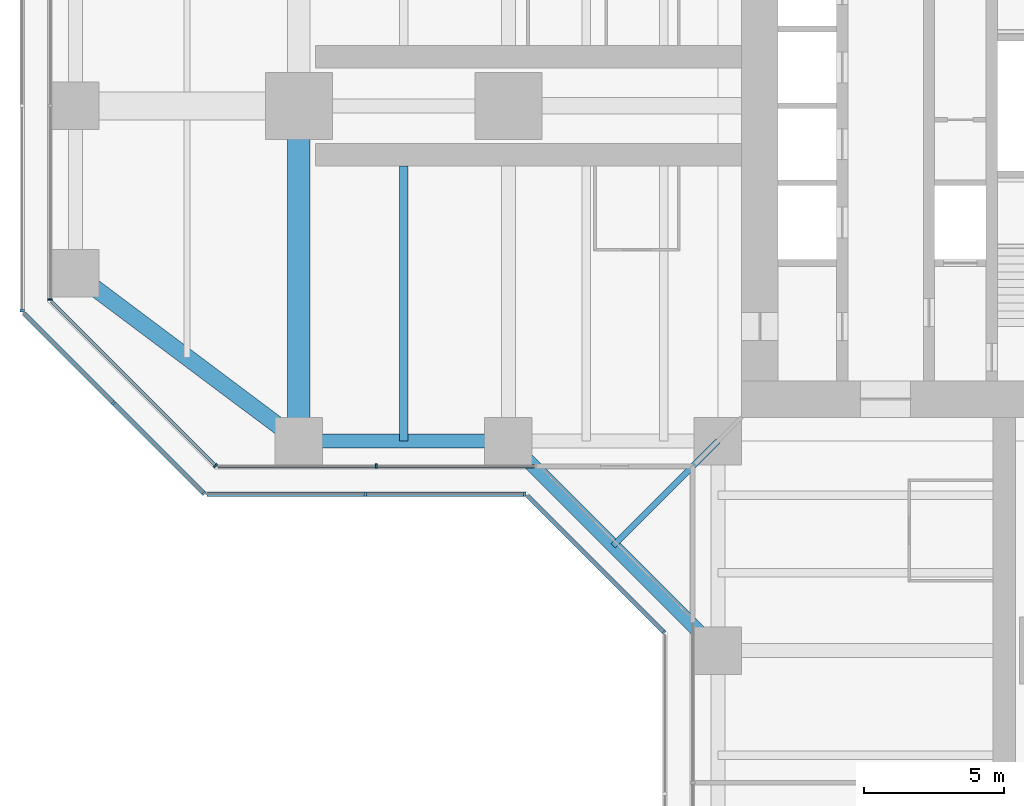
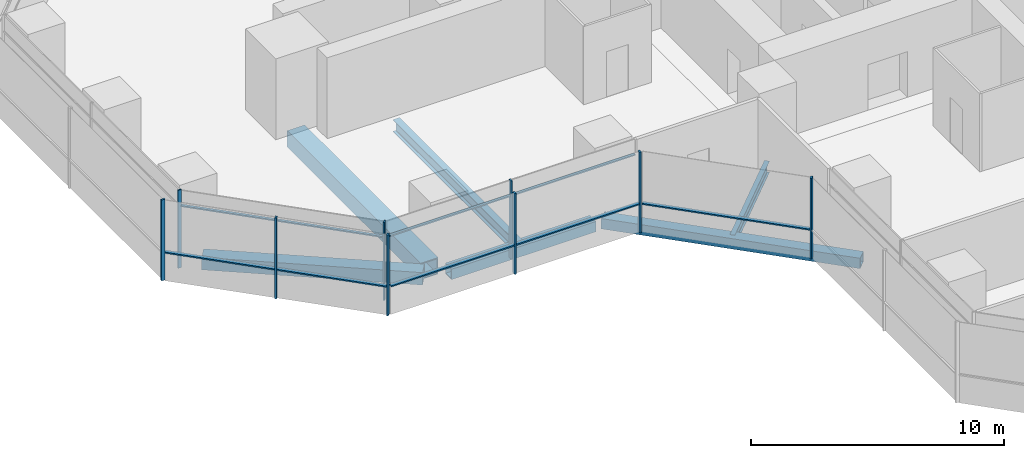
# One storey, part 3 of 22: 17 members, 6 beams, 7 elements without a shape of their own.
"""IFC4 building model written with IfcOpenShell, lengths in metres."""

import ifcopenshell
import ifcopenshell.guid

model = None  # the IFC model being written
_history = None  # IfcOwnerHistory: only IFC2X3 demands one
_inside = {}  # id of a spatial element -> (the spatial element, [elements in it])
_under = {}  # id of a project, library or spatial element -> (it, [spatial elements below it])
_declared = {}  # id of a project -> (the project, [libraries it declares])
_typed = {}  # id of a type object -> (the type object, [elements of that type])
_made_of = {}  # id of a material, layer set ... -> (it, [elements and type objects made of it])


def new_model(schema):
    """Start an empty IFC model of exactly this schema.

    Asked for "IFC4X3", IfcOpenShell would pick the latest addendum, in which some entities
    have other attributes; the version numbers below select the first issue.
    IFC2X3 requires an IfcOwnerHistory on every rooted entity: one is made here for all.
    """
    global model, _history
    if schema == "IFC4X3":
        model = ifcopenshell.file(schema_version=(4, 3, 0, 0))
    else:
        model = ifcopenshell.file(schema=schema)
    _inside.clear()
    _under.clear()
    _declared.clear()
    _typed.clear()
    _made_of.clear()
    _history = None
    if model.schema == "IFC2X3":
        org = make("IfcOrganization", Name="unknown")
        user = make(
            "IfcPersonAndOrganization",
            ThePerson=make("IfcPerson", FamilyName="unknown"),
            TheOrganization=org,
        )
        app = make(
            "IfcApplication",
            ApplicationDeveloper=org,
            Version="unknown",
            ApplicationFullName="unknown",
            ApplicationIdentifier="unknown",
        )
        _history = make(
            "IfcOwnerHistory",
            OwningUser=user,
            OwningApplication=app,
            ChangeAction="ADDED",
            CreationDate=0,
        )
    return model


def make(cls, **values):
    """One entity of the class cls with the attributes given. An attribute that is None is left unset."""
    return model.create_entity(
        cls, **{name: value for name, value in values.items() if value is not None}
    )


def rooted(cls, **values):
    """An entity with a GlobalId (a new one), such as an element, a storey or a relation."""
    return make(cls, GlobalId=ifcopenshell.guid.new(), OwnerHistory=_history, **values)


def si_unit(unit_type, name, prefix=None):
    """IfcSIUnit, for example si_unit("LENGTHUNIT", "METRE", prefix="MILLI")."""
    return make("IfcSIUnit", UnitType=unit_type, Prefix=prefix, Name=name)


def assignment(units):
    """IfcUnitAssignment: the units of a project."""
    return None if units is None else make("IfcUnitAssignment", Units=units)


def point(xyz):
    """IfcCartesianPoint."""
    return None if xyz is None else make("IfcCartesianPoint", Coordinates=xyz)


def direction(xyz):
    """IfcDirection."""
    return None if xyz is None else make("IfcDirection", DirectionRatios=xyz)


def frame(location, z_axis=None, x_axis=None):
    """IfcAxis2Placement3D, a coordinate frame: its origin and axes. An axis left out is left unset."""
    return make(
        "IfcAxis2Placement3D",
        Location=point(location),
        Axis=direction(z_axis),
        RefDirection=direction(x_axis),
    )


def frame_2d(location, x_axis=None):
    """IfcAxis2Placement2D, a coordinate frame in the plane: its origin and x axis."""
    return make(
        "IfcAxis2Placement2D", Location=point(location), RefDirection=direction(x_axis)
    )


def origin():
    """The frame at (0, 0, 0) with its axes left unset."""
    return frame((0.0, 0.0, 0.0))


def origin_2d():
    """The frame at (0, 0) in the plane with its x axis left unset."""
    return frame_2d((0.0, 0.0))


def place(relative_to, where):
    """IfcLocalPlacement: puts the frame where relative to a parent placement (None: the world)."""
    return make(
        "IfcLocalPlacement", PlacementRelTo=relative_to, RelativePlacement=where
    )


def context(
    kind, dimensions, precision=None, world=None, true_north=None, identifier=None
):
    """IfcGeometricRepresentationContext, for example the 3D "Model" context."""
    return make(
        "IfcGeometricRepresentationContext",
        ContextIdentifier=identifier,
        ContextType=kind,
        CoordinateSpaceDimension=dimensions,
        Precision=precision,
        WorldCoordinateSystem=world,
        TrueNorth=true_north,
    )


def subcontext(parent, identifier, kind, view, scale=None):
    """IfcGeometricRepresentationSubContext, for example "Body" below "Model"."""
    return make(
        "IfcGeometricRepresentationSubContext",
        ContextIdentifier=identifier,
        ContextType=kind,
        ParentContext=parent,
        TargetScale=scale,
        TargetView=view,
    )


def project(units=None, contexts=None):
    """IfcProject with its units and contexts."""
    return rooted(
        "IfcProject",
        Name="project",
        RepresentationContexts=contexts,
        UnitsInContext=assignment(units),
    )


def spatial(cls, under=None, at=None, **own):
    """A site, building, storey or space (cls), placed at a placement, below another one or the project."""
    s = rooted(cls, ObjectPlacement=at, **own)
    if under is not None:
        _under.setdefault(under.id(), (under, []))[1].append(s)
    return s


def profile(cls, at=None, kind="AREA", **sizes):
    """A parametric profile (cls). Its sizes go by their IFC names, for example OverallWidth=200.0."""
    return make(cls, ProfileType=kind, Position=at, **sizes)


def rectangle(**sizes):
    """IfcRectangleProfileDef."""
    return profile("IfcRectangleProfileDef", **sizes)


def hollow_rectangle(**sizes):
    """IfcRectangleHollowProfileDef."""
    return profile("IfcRectangleHollowProfileDef", **sizes)


def i_section(**sizes):
    """IfcIShapeProfileDef."""
    return profile("IfcIShapeProfileDef", **sizes)


def extrude(swept, where, along, depth):
    """IfcExtrudedAreaSolid: the profile swept, set in the frame where, extruded along a direction by depth."""
    return make(
        "IfcExtrudedAreaSolid",
        SweptArea=swept,
        Position=where,
        ExtrudedDirection=direction(along),
        Depth=depth,
    )


def shape(context_of_items, identifier, shape_type, items):
    """IfcShapeRepresentation: the items that make up one representation, for example the "Body"."""
    return make(
        "IfcShapeRepresentation",
        ContextOfItems=context_of_items,
        RepresentationIdentifier=identifier,
        RepresentationType=shape_type,
        Items=items,
    )


def material(Name=None, Category=None):
    """IfcMaterial."""
    return make("IfcMaterial", Name=Name, Category=Category)


def material_profile(
    of_material, cross_section, Name=None, Category=None, Priority=None
):
    """IfcMaterialProfile: a cross section and its material."""
    return make(
        "IfcMaterialProfile",
        Name=Name,
        Material=of_material,
        Profile=cross_section,
        Priority=Priority,
        Category=Category,
    )


def profile_set(profiles, Name=None, composite=None):
    """IfcMaterialProfileSet."""
    return make(
        "IfcMaterialProfileSet",
        Name=Name,
        MaterialProfiles=profiles,
        CompositeProfile=composite,
    )


def made_of(thing, what):
    """Note that an element or type object is made of a material, layer set ...; save() writes the relation."""
    if what is not None:
        _made_of.setdefault(what.id(), (what, []))[1].append(thing)
    return thing


def type_object(cls, material=None, **own):
    """A type object (cls), such as IfcWallType, which elements share."""
    return made_of(rooted(cls, **own), material)


def element(
    cls,
    number,
    at=None,
    inside=None,
    cuts=None,
    type_object=None,
    material=None,
    context=None,
    identifier="Body",
    shape_type=None,
    held_by="IfcProductDefinitionShape",
    body=None,
    shapes=None,
    **own,
):
    """One element of the class cls, such as IfcWall. Its Tag is "e" and its number.

    at: its placement. inside: the storey or other place that contains it. cuts: it is an
    opening in that element (IfcRelVoidsElement). A single representation is given by context,
    identifier, shape_type and body (its items); several are given by shapes. held_by: the class
    of the entity that holds the representations. save() writes the other relations.
    """
    e = rooted(cls, Tag="e%d" % number, ObjectPlacement=at, **own)
    if body is not None:
        shapes = [shape(context, identifier, shape_type, body)]
    if shapes is not None:
        e.Representation = make(held_by, Representations=shapes)
    if inside is not None:
        _inside.setdefault(inside.id(), (inside, []))[1].append(e)
    if cuts is not None:
        rooted(
            "IfcRelVoidsElement", RelatingBuildingElement=cuts, RelatedOpeningElement=e
        )
    if type_object is not None:
        _typed.setdefault(type_object.id(), (type_object, []))[1].append(e)
    return made_of(e, material)


def aggregate(whole, parts):
    """IfcRelAggregates: a whole, such as a stair, and the parts it consists of."""
    return rooted("IfcRelAggregates", RelatingObject=whole, RelatedObjects=parts)


def save(model, path):
    """Write the relations noted so far, then the file.

    IfcRelAggregates (storeys below a building ...), IfcRelContainedInSpatialStructure (elements
    in a storey), IfcRelDefinesByType, IfcRelAssociatesMaterial and IfcRelDeclares: one each for
    every whole, place, type object, material and project.
    """
    for whole, parts in _under.values():
        aggregate(whole, parts)
    for where, things in _inside.values():
        rooted(
            "IfcRelContainedInSpatialStructure",
            RelatedElements=things,
            RelatingStructure=where,
        )
    for kind, things in _typed.values():
        rooted("IfcRelDefinesByType", RelatedObjects=things, RelatingType=kind)
    for what, things in _made_of.values():
        rooted("IfcRelAssociatesMaterial", RelatedObjects=things, RelatingMaterial=what)
    for by, libraries in _declared.values():
        rooted("IfcRelDeclares", RelatingContext=by, RelatedDefinitions=libraries)
    model.write(path)


model = new_model("IFC4")

# Units and contexts
model_context = context("Model", 3, precision=1e-05, world=origin(), true_north=direction((0.0, 1.0)))
body_context = subcontext(model_context, "Body", "Model", "MODEL_VIEW")
ifc_project = project(units=[si_unit("LENGTHUNIT", "METRE"), si_unit("AREAUNIT", "SQUARE_METRE"), si_unit("VOLUMEUNIT", "CUBIC_METRE"), si_unit("PLANEANGLEUNIT", "RADIAN"), si_unit("MASSUNIT", "GRAM", prefix="KILO")], contexts=[model_context])

# Site, building, storey
site_placement = place(None, origin())
site = spatial("IfcSite", under=ifc_project, at=site_placement, CompositionType="ELEMENT")
building_placement = place(site_placement, origin())
building = spatial("IfcBuilding", under=site, at=building_placement, Name="Mizan Broadcast Tower", CompositionType="ELEMENT")
storey_placement = place(building_placement, frame((0.0, 0.0, 98.10009765625)))
storey = spatial("IfcBuildingStorey", under=building, at=storey_placement, Name="L21", CompositionType="ELEMENT", Elevation=98.10009765625)

# Beams
ifc_material_1 = material(Name="Steel S355", Category="steel")
ifc_material_profile_1 = material_profile(ifc_material_1, hollow_rectangle(XDim=0.5, YDim=0.5, WallThickness=0.030029296875, at=origin_2d()), Name="BOX 500x500x30")
ifc_profile_set_1 = profile_set([ifc_material_profile_1], Name="Steel S355")
beam_type_1 = type_object("IfcBeamType", Name="EDGE BEAM BOX 500x500x30", PredefinedType="SPANDREL", material=ifc_profile_set_1)
beam_1_placement = place(storey_placement, frame((-19.949951171875, -12.0, -0.380126953125), z_axis=(-1.0, 0.0, 0.0), x_axis=(0.0, -1.0, 0.0)))
element("IfcBeam", 1, at=beam_1_placement, inside=storey, type_object=beam_type_1, Name="Edge beam BOX 500x500x30 L21 west arm", PredefinedType="SPANDREL", context=body_context, shape_type="SweptSolid", body=[
    extrude(hollow_rectangle(XDim=0.5, YDim=0.5, WallThickness=0.030029296875, at=origin_2d()), origin(), (0.0, 0.0, 1.0), 6.60009765625),
])
beam_2_placement = place(storey_placement, frame((-19.5, -12.0, -0.380126953125), z_axis=(0.707106781187, -0.707106781187, 0.0), x_axis=(0.707106781187, 0.707106781187, 0.0)))
element("IfcBeam", 2, at=beam_2_placement, inside=storey, type_object=beam_type_1, Name="Winter garden edge beam L21 W", PredefinedType="SPANDREL", context=body_context, shape_type="SweptSolid", body=[
    extrude(hollow_rectangle(XDim=0.5, YDim=0.5, WallThickness=0.030029296875, at=origin_2d()), origin(), (0.0, 0.0, 1.0), 10.606689453125),
])
ifc_material_2 = material(Name="Steel S355", Category="steel")
ifc_material_profile_2 = material_profile(ifc_material_2, hollow_rectangle(XDim=0.60009765625, YDim=0.60009765625, WallThickness=0.030029296875, at=origin_2d()), Name="BOX 600x600x30")
ifc_profile_set_2 = profile_set([ifc_material_profile_2], Name="Steel S355")
beam_type_2 = type_object("IfcBeamType", Name="EDGE BEAM BOX 600x600x30", PredefinedType="SPANDREL", material=ifc_profile_set_2)
beam_3_placement = place(storey_placement, frame((-27.47998046875, -11.639892578125, -0.43017578125), z_axis=(-0.800013316712, 0.599982243973, 0.0), x_axis=(-0.599982243973, -0.800013316712, 0.0)))
element("IfcBeam", 3, at=beam_3_placement, inside=storey, type_object=beam_type_2, Name="Edge beam BOX 600x600x30 L21 west arm", PredefinedType="SPANDREL", context=body_context, shape_type="SweptSolid", body=[
    extrude(hollow_rectangle(XDim=0.60009765625, YDim=0.60009765625, WallThickness=0.030029296875, at=origin_2d()), origin(), (0.0, 0.0, 1.0), 8.7998046875),
])
ifc_material_3 = material(Name="Steel S460", Category="steel")
ifc_material_profile_3 = material_profile(ifc_material_3, hollow_rectangle(XDim=0.800048828125, YDim=0.800048828125, WallThickness=0.050048828125, at=origin_2d()), Name="BOX 800x800x50")
ifc_profile_set_3 = profile_set([ifc_material_profile_3], Name="Steel S460")
beam_type_3 = type_object("IfcBeamType", Name="GIRDER BOX 800x800x50", PredefinedType="BEAM", material=ifc_profile_set_3)
beam_4_placement = place(storey_placement, frame((-27.0, -11.280029296875, -0.530029296875), z_axis=(0.0, 1.0, 0.0), x_axis=(-1.0, 0.0, 0.0)))
element("IfcBeam", 4, at=beam_4_placement, inside=storey, type_object=beam_type_3, Name="Girder BOX 800x800x50 L21 west arm", PredefinedType="BEAM", context=body_context, shape_type="SweptSolid", body=[
    extrude(hollow_rectangle(XDim=0.800048828125, YDim=0.800048828125, WallThickness=0.050048828125, at=origin_2d()), origin(), (0.0, 0.0, 1.0), 10.56005859375),
])

# Curtain wall, member
ifc_material_4 = material(Name="Aluminium framed glazing", Category="aluminium")
curtain_wall_type_1 = type_object("IfcCurtainWallType", Name="INNER SKIN LOW ZONE", PredefinedType="USERDEFINED", material=ifc_material_4)
curtain_wall_1_placement = place(storey_placement, origin())
curtain_wall_1 = element("IfcCurtainWall", 5, at=curtain_wall_1_placement, inside=storey, type_object=curtain_wall_type_1, Name="Inner skin low zone L21 W end", ObjectType="INNER SKIN LOW ZONE", PredefinedType="USERDEFINED")
ifc_material_5 = material(Name="Aluminium, pale anodised", Category="aluminium")
ifc_material_profile_4 = material_profile(ifc_material_5, rectangle(XDim=0.159912109375, YDim=0.06005859375, at=origin_2d()), Name="MULLION 160x60")
ifc_profile_set_4 = profile_set([ifc_material_profile_4], Name="Aluminium, pale anodised")
member_type_1 = type_object("IfcMemberType", Name="INNER SKIN MULLION 60x160", PredefinedType="MULLION", material=ifc_profile_set_4)
member_1_placement = place(storey_placement, frame((-35.89990234375, -6.928466796875, 0.0), z_axis=(0.0, 0.0, 1.0), x_axis=(1.0, 0.0, 0.0)))
member_1 = element("IfcMember", 6, at=member_1_placement, type_object=member_type_1, Name="Inner skin low zone L21 W end mullion 3", PredefinedType="MULLION", context=body_context, shape_type="SweptSolid", body=[
    extrude(rectangle(XDim=0.159912109375, YDim=0.06005859375, at=origin_2d()), origin(), (0.0, 0.0, 1.0), 3.77001953125),
])
aggregate(curtain_wall_1, [member_1])

curtain_wall_2_placement = place(storey_placement, origin())
curtain_wall_2 = element("IfcCurtainWall", 7, at=curtain_wall_2_placement, inside=storey, type_object=curtain_wall_type_1, Name="Inner skin low zone L21 W chamfer", ObjectType="INNER SKIN LOW ZONE", PredefinedType="USERDEFINED")
member_2_placement = place(storey_placement, frame((-29.979736328125, -12.87890625, 0.0), z_axis=(0.0, 0.0, 1.0), x_axis=(0.707106781187, 0.707106781187, 0.0)))
member_2 = element("IfcMember", 8, at=member_2_placement, type_object=member_type_1, Name="Inner skin low zone L21 W chamfer mullion 2", PredefinedType="MULLION", context=body_context, shape_type="SweptSolid", body=[
    extrude(rectangle(XDim=0.159912109375, YDim=0.06005859375, at=origin_2d()), origin(), (0.0, 0.0, 1.0), 3.77001953125),
])

curtain_wall_3_placement = place(storey_placement, origin())
curtain_wall_3 = element("IfcCurtainWall", 9, at=curtain_wall_3_placement, inside=storey, type_object=curtain_wall_type_1, Name="Inner skin low zone L21 W side", ObjectType="INNER SKIN LOW ZONE", PredefinedType="USERDEFINED")
member_3_placement = place(storey_placement, frame((-24.229248046875, -12.89990234375, 0.0), z_axis=(0.0, 0.0, 1.0), x_axis=(0.0, 1.0, 0.0)))
member_3 = element("IfcMember", 10, at=member_3_placement, type_object=member_type_1, Name="Inner skin low zone L21 W side mullion 2", PredefinedType="MULLION", context=body_context, shape_type="SweptSolid", body=[
    extrude(rectangle(XDim=0.159912109375, YDim=0.06005859375, at=origin_2d()), origin(), (0.0, 0.0, 1.0), 3.77001953125),
])

# Member
ifc_material_6 = material(Name="Aluminium, pale anodised", Category="aluminium")
ifc_material_profile_5 = material_profile(ifc_material_6, rectangle(XDim=0.1201171875, YDim=0.06005859375, at=origin_2d()), Name="TRANSOM 120x60")
ifc_profile_set_5 = profile_set([ifc_material_profile_5], Name="Aluminium, pale anodised")
member_type_2 = type_object("IfcMemberType", Name="INNER SKIN TRANSOM 60x120", PredefinedType="USERDEFINED", material=ifc_profile_set_5)
member_4_placement = place(storey_placement, frame((-35.857666015625, -7.0009765625, 3.02978515625), z_axis=(0.707106781187, -0.707106781187, 0.0), x_axis=(0.707106781187, 0.707106781187, 0.0)))
member_4 = element("IfcMember", 11, at=member_4_placement, type_object=member_type_2, Name="Inner skin low zone L21 W chamfer transom 1.1", ObjectType="TRANSOM", PredefinedType="USERDEFINED", context=body_context, shape_type="SweptSolid", body=[
    extrude(rectangle(XDim=0.1201171875, YDim=0.06005859375, at=origin_2d()), origin(), (0.0, 0.0, 1.0), 8.28271484375),
])

aggregate(curtain_wall_2, [member_2, member_4])

member_5_placement = place(storey_placement, frame((-29.898681640625, -12.89990234375, 3.02978515625), z_axis=(1.0, 0.0, 0.0), x_axis=(0.0, 1.0, 0.0)))
member_5 = element("IfcMember", 12, at=member_5_placement, type_object=member_type_2, Name="Inner skin low zone L21 W side transom 1.1", ObjectType="TRANSOM", PredefinedType="USERDEFINED", context=body_context, shape_type="SweptSolid", body=[
    extrude(rectangle(XDim=0.1201171875, YDim=0.06005859375, at=origin_2d()), origin(), (0.0, 0.0, 1.0), 5.639404296875),
])

member_6_placement = place(storey_placement, frame((-24.19921875, -12.89990234375, 3.02978515625), z_axis=(1.0, 0.0, 0.0), x_axis=(0.0, 1.0, 0.0)))
member_6 = element("IfcMember", 13, at=member_6_placement, type_object=member_type_2, Name="Inner skin low zone L21 W side transom 2.1", ObjectType="TRANSOM", PredefinedType="USERDEFINED", context=body_context, shape_type="SweptSolid", body=[
    extrude(rectangle(XDim=0.1201171875, YDim=0.06005859375, at=origin_2d()), origin(), (0.0, 0.0, 1.0), 5.63916015625),
])

aggregate(curtain_wall_3, [member_3, member_5, member_6])

# Curtain wall, member
ifc_material_7 = material(Name="Aluminium framed glazing", Category="aluminium")
curtain_wall_type_2 = type_object("IfcCurtainWallType", Name="OUTER SKIN", PredefinedType="USERDEFINED", material=ifc_material_7)
curtain_wall_4_placement = place(storey_placement, origin())
curtain_wall_4 = element("IfcCurtainWall", 14, at=curtain_wall_4_placement, inside=storey, type_object=curtain_wall_type_2, Name="Outer skin L21 W end", ObjectType="OUTER SKIN", PredefinedType="USERDEFINED")
ifc_material_8 = material(Name="Aluminium, pale anodised", Category="aluminium")
ifc_material_profile_6 = material_profile(ifc_material_8, rectangle(XDim=0.159912109375, YDim=0.080078125, at=origin_2d()), Name="MULLION 160x80")
ifc_profile_set_6 = profile_set([ifc_material_profile_6], Name="Aluminium, pale anodised")
member_type_3 = type_object("IfcMemberType", Name="OUTER SKIN MULLION 80x160", PredefinedType="MULLION", material=ifc_profile_set_6)
member_7_placement = place(storey_placement, frame((-36.89990234375, -7.332763671875, 0.0), z_axis=(0.0, 0.0, 1.0), x_axis=(1.0, 0.0, 0.0)))
member_7 = element("IfcMember", 15, at=member_7_placement, type_object=member_type_3, Name="Outer skin L21 W end mullion 3", PredefinedType="MULLION", context=body_context, shape_type="SweptSolid", body=[
    extrude(rectangle(XDim=0.159912109375, YDim=0.080078125, at=origin_2d()), origin(), (0.0, 0.0, 1.0), 3.89990234375),
])
aggregate(curtain_wall_4, [member_7])

# Curtain wall, members
curtain_wall_5_placement = place(storey_placement, origin())
curtain_wall_5 = element("IfcCurtainWall", 16, at=curtain_wall_5_placement, inside=storey, type_object=curtain_wall_type_2, Name="Outer skin L21 W chamfer", ObjectType="OUTER SKIN", PredefinedType="USERDEFINED")
member_8_placement = place(storey_placement, frame((-33.636474609375, -10.636474609375, 0.0), z_axis=(0.0, 0.0, 1.0), x_axis=(0.707106781187, 0.707106781187, 0.0)))
member_8 = element("IfcMember", 17, at=member_8_placement, type_object=member_type_3, Name="Outer skin L21 W chamfer mullion 2", PredefinedType="MULLION", context=body_context, shape_type="SweptSolid", body=[
    extrude(rectangle(XDim=0.159912109375, YDim=0.080078125, at=origin_2d()), origin(), (0.0, 0.0, 1.0), 3.89990234375),
])
member_9_placement = place(storey_placement, frame((-30.401123046875, -13.871826171875, 0.0), z_axis=(0.0, 0.0, 1.0), x_axis=(0.707106781187, 0.707106781187, 0.0)))
member_9 = element("IfcMember", 18, at=member_9_placement, type_object=member_type_3, Name="Outer skin L21 W chamfer mullion 3", PredefinedType="MULLION", context=body_context, shape_type="SweptSolid", body=[
    extrude(rectangle(XDim=0.159912109375, YDim=0.080078125, at=origin_2d()), origin(), (0.0, 0.0, 1.0), 3.89990234375),
])

curtain_wall_6_placement = place(storey_placement, origin())
curtain_wall_6 = element("IfcCurtainWall", 19, at=curtain_wall_6_placement, inside=storey, type_object=curtain_wall_type_2, Name="Outer skin L21 W side", ObjectType="OUTER SKIN", PredefinedType="USERDEFINED")
member_10_placement = place(storey_placement, frame((-24.622802734375, -13.89990234375, 0.0), z_axis=(0.0, 0.0, 1.0), x_axis=(0.0, 1.0, 0.0)))
member_10 = element("IfcMember", 20, at=member_10_placement, type_object=member_type_3, Name="Outer skin L21 W side mullion 2", PredefinedType="MULLION", context=body_context, shape_type="SweptSolid", body=[
    extrude(rectangle(XDim=0.159912109375, YDim=0.080078125, at=origin_2d()), origin(), (0.0, 0.0, 1.0), 3.89990234375),
])
member_11_placement = place(storey_placement, frame((-18.912841796875, -13.89990234375, 0.0), z_axis=(0.0, 0.0, 1.0), x_axis=(0.0, 1.0, 0.0)))
member_11 = element("IfcMember", 21, at=member_11_placement, type_object=member_type_3, Name="Outer skin L21 W side mullion 3", PredefinedType="MULLION", context=body_context, shape_type="SweptSolid", body=[
    extrude(rectangle(XDim=0.159912109375, YDim=0.080078125, at=origin_2d()), origin(), (0.0, 0.0, 1.0), 3.89990234375),
])

# Curtain wall, member
curtain_wall_7_placement = place(storey_placement, origin())
curtain_wall_7 = element("IfcCurtainWall", 22, at=curtain_wall_7_placement, inside=storey, type_object=curtain_wall_type_2, Name="Outer skin L21 W chamfer", ObjectType="OUTER SKIN", PredefinedType="USERDEFINED")
member_12_placement = place(storey_placement, frame((-13.92822265625, -18.844482421875, 0.0), z_axis=(0.0, 0.0, 1.0), x_axis=(0.707106781187, 0.707106781187, 0.0)))
member_12 = element("IfcMember", 23, at=member_12_placement, type_object=member_type_3, Name="Outer skin L21 W chamfer mullion 2", PredefinedType="MULLION", context=body_context, shape_type="SweptSolid", body=[
    extrude(rectangle(XDim=0.159912109375, YDim=0.080078125, at=origin_2d()), origin(), (0.0, 0.0, 1.0), 3.89990234375),
])

# Member
ifc_material_9 = material(Name="Aluminium, pale anodised", Category="aluminium")
ifc_material_profile_7 = material_profile(ifc_material_9, rectangle(XDim=0.159912109375, YDim=0.06005859375, at=origin_2d()), Name="TRANSOM 160x60")
ifc_profile_set_7 = profile_set([ifc_material_profile_7], Name="Aluminium, pale anodised")
member_type_4 = type_object("IfcMemberType", Name="OUTER SKIN TRANSOM 60x160", PredefinedType="USERDEFINED", material=ifc_profile_set_7)
member_13_placement = place(storey_placement, frame((-36.843505859375, -7.429443359375, 1.39990234375), z_axis=(0.707106781187, -0.707106781187, 0.0), x_axis=(0.707106781187, 0.707106781187, 0.0)))
member_13 = element("IfcMember", 24, at=member_13_placement, type_object=member_type_4, Name="Outer skin L21 W chamfer transom 1.1", ObjectType="TRANSOM", PredefinedType="USERDEFINED", context=body_context, shape_type="SweptSolid", body=[
    extrude(rectangle(XDim=0.159912109375, YDim=0.06005859375, at=origin_2d()), origin(), (0.0, 0.0, 1.0), 4.495361328125),
])

member_14_placement = place(storey_placement, frame((-33.608154296875, -10.664794921875, 1.39990234375), z_axis=(0.707106781187, -0.707106781187, 0.0), x_axis=(0.707106781187, 0.707106781187, 0.0)))
member_14 = element("IfcMember", 25, at=member_14_placement, type_object=member_type_4, Name="Outer skin L21 W chamfer transom 2.1", ObjectType="TRANSOM", PredefinedType="USERDEFINED", context=body_context, shape_type="SweptSolid", body=[
    extrude(rectangle(XDim=0.159912109375, YDim=0.06005859375, at=origin_2d()), origin(), (0.0, 0.0, 1.0), 4.495361328125),
])

aggregate(curtain_wall_5, [member_8, member_9, member_13, member_14])

member_15_placement = place(storey_placement, frame((-30.292724609375, -13.89990234375, 1.39990234375), z_axis=(1.0, 0.0, 0.0), x_axis=(0.0, 1.0, 0.0)))
member_15 = element("IfcMember", 26, at=member_15_placement, type_object=member_type_4, Name="Outer skin L21 W side transom 1.1", ObjectType="TRANSOM", PredefinedType="USERDEFINED", context=body_context, shape_type="SweptSolid", body=[
    extrude(rectangle(XDim=0.159912109375, YDim=0.06005859375, at=origin_2d()), origin(), (0.0, 0.0, 1.0), 5.6298828125),
])

member_16_placement = place(storey_placement, frame((-24.582763671875, -13.89990234375, 1.39990234375), z_axis=(1.0, 0.0, 0.0), x_axis=(0.0, 1.0, 0.0)))
member_16 = element("IfcMember", 27, at=member_16_placement, type_object=member_type_4, Name="Outer skin L21 W side transom 2.1", ObjectType="TRANSOM", PredefinedType="USERDEFINED", context=body_context, shape_type="SweptSolid", body=[
    extrude(rectangle(XDim=0.159912109375, YDim=0.06005859375, at=origin_2d()), origin(), (0.0, 0.0, 1.0), 5.6298828125),
])

aggregate(curtain_wall_6, [member_10, member_11, member_15, member_16])

member_17_placement = place(storey_placement, frame((-18.816162109375, -13.95654296875, 1.39990234375), z_axis=(0.707106781187, -0.707106781187, 0.0), x_axis=(0.707106781187, 0.707106781187, 0.0)))
member_17 = element("IfcMember", 28, at=member_17_placement, type_object=member_type_4, Name="Outer skin L21 W chamfer transom 1.1", ObjectType="TRANSOM", PredefinedType="USERDEFINED", context=body_context, shape_type="SweptSolid", body=[
    extrude(rectangle(XDim=0.159912109375, YDim=0.06005859375, at=origin_2d()), origin(), (0.0, 0.0, 1.0), 6.87255859375),
])

aggregate(curtain_wall_7, [member_12, member_17])

# Beams
ifc_material_10 = material(Name="Steel S355", Category="steel")
ifc_material_profile_8 = material_profile(ifc_material_10, i_section(OverallWidth=0.300048828125, OverallDepth=0.590087890625, WebThickness=0.012939453125, FlangeThickness=0.02490234375, FilletRadius=0.027099609375, at=origin_2d()), Name="HEA 600")
ifc_profile_set_8 = profile_set([ifc_material_profile_8], Name="Steel S355")
beam_type_4 = type_object("IfcBeamType", Name="SECONDARY BEAM HEA 600", PredefinedType="JOIST", material=ifc_profile_set_8)
beam_5_placement = place(storey_placement, frame((-23.25, -12.0, -0.425048828125), z_axis=(0.0, 1.0, 0.0), x_axis=(-1.0, 0.0, 0.0)))
element("IfcBeam", 29, at=beam_5_placement, inside=storey, type_object=beam_type_4, Name="Secondary beam HEA 600 L21 west arm", PredefinedType="JOIST", context=body_context, shape_type="SweptSolid", body=[
    extrude(i_section(OverallWidth=0.300048828125, OverallDepth=0.590087890625, WebThickness=0.012939453125, FlangeThickness=0.02490234375, FilletRadius=0.027099609375, at=origin_2d()), origin(), (0.0, 0.0, 1.0), 9.85009765625),
])
ifc_material_11 = material(Name="Steel S355", Category="steel")
ifc_material_profile_9 = material_profile(ifc_material_11, i_section(OverallWidth=0.2099609375, OverallDepth=0.550048828125, WebThickness=0.010986328125, FlangeThickness=0.01708984375, FilletRadius=0.02392578125, at=origin_2d()), Name="IPE 550")
ifc_profile_set_9 = profile_set([ifc_material_profile_9], Name="Steel S355")
beam_type_5 = type_object("IfcBeamType", Name="SECONDARY BEAM IPE 550", PredefinedType="JOIST", material=ifc_profile_set_9)
beam_6_placement = place(storey_placement, frame((-12.0, -12.0, -0.405029296875), z_axis=(-0.707106781187, -0.707106781187, 0.0), x_axis=(0.707106781187, -0.707106781187, 0.0)))
element("IfcBeam", 30, at=beam_6_placement, inside=storey, type_object=beam_type_5, Name="Winter garden beam L21 W", PredefinedType="JOIST", context=body_context, shape_type="SweptSolid", body=[
    extrude(i_section(OverallWidth=0.2099609375, OverallDepth=0.550048828125, WebThickness=0.010986328125, FlangeThickness=0.01708984375, FilletRadius=0.02392578125, at=origin_2d()), origin(), (0.0, 0.0, 1.0), 5.30322265625),
])

save(model, "model.ifc")
